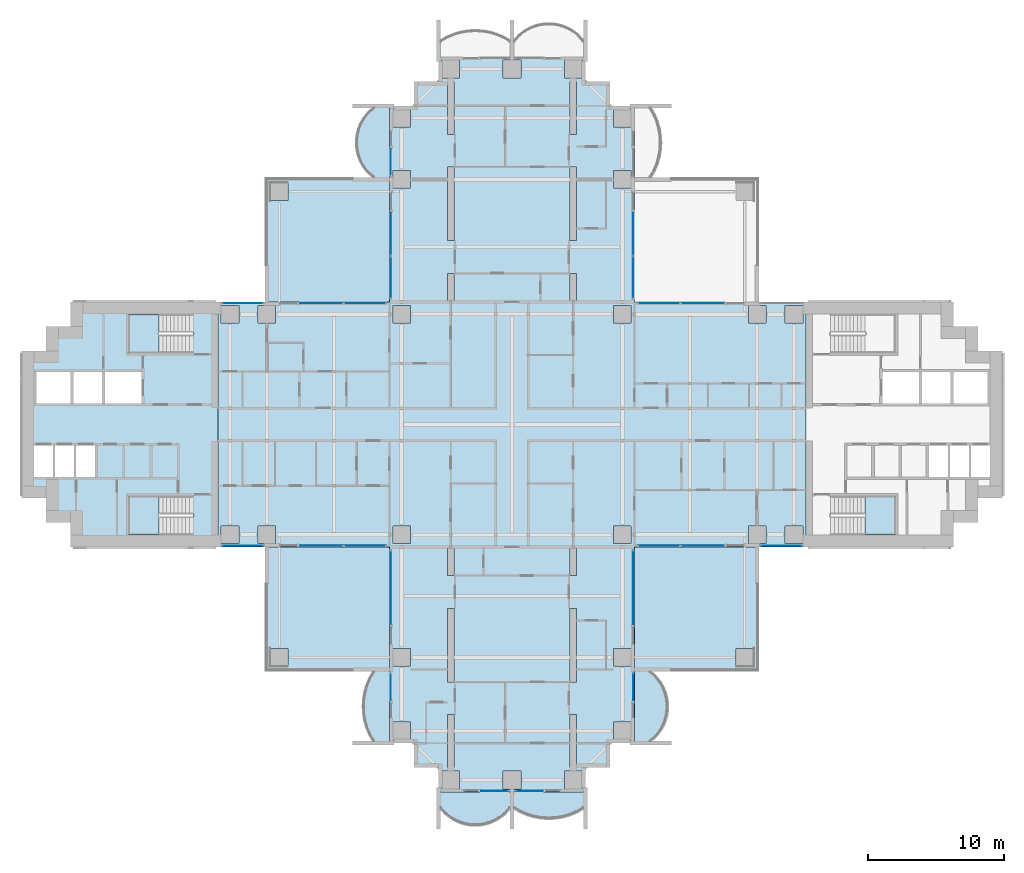
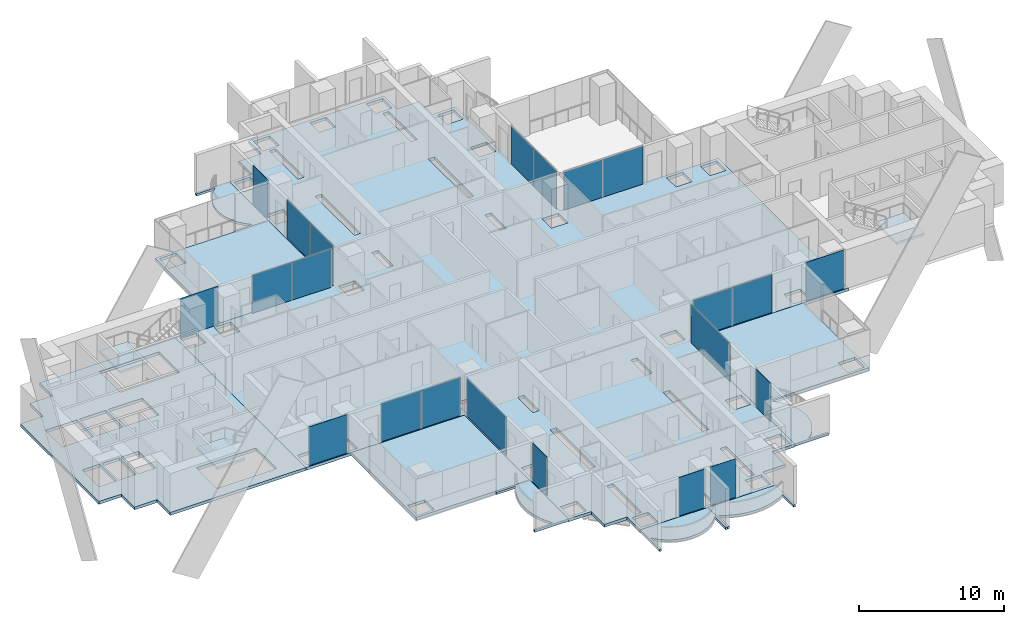
# One storey, part 9 of 23: 22 plates, 13 slabs, 19 elements without a shape of their own.
"""IFC4 building model written with IfcOpenShell, lengths in metres."""

from ifc_helpers import new_model, si_unit, direction, frame, origin, origin_2d, place, context, subcontext, project, spatial, polyline, rectangle, outline, extrude, material, layer, layer_set, type_object, element, aggregate, save


model = new_model("IFC4")

# Units and contexts
model_context = context("Model", 3, precision=1e-05, world=origin(), true_north=direction((0.0, 1.0)))
body_context = subcontext(model_context, "Body", "Model", "MODEL_VIEW")
ifc_project = project(units=[si_unit("LENGTHUNIT", "METRE"), si_unit("AREAUNIT", "SQUARE_METRE"), si_unit("VOLUMEUNIT", "CUBIC_METRE"), si_unit("PLANEANGLEUNIT", "RADIAN"), si_unit("MASSUNIT", "GRAM", prefix="KILO")], contexts=[model_context])

# Site, building, storey
site_placement = place(None, origin())
site = spatial("IfcSite", under=ifc_project, at=site_placement, CompositionType="ELEMENT")
building_placement = place(site_placement, origin())
building = spatial("IfcBuilding", under=site, at=building_placement, Name="Perihelion Cross Residences", CompositionType="ELEMENT")
storey_placement = place(building_placement, frame((0.0, 0.0, 36.5)))
storey = spatial("IfcBuildingStorey", under=building, at=storey_placement, Name="L05", CompositionType="ELEMENT", Elevation=36.5)

# Slabs
ifc_material_1 = material(Name="Concrete C40/50", Category="concrete")
ifc_layer_1 = layer(ifc_material_1, 0.199951171875)
ifc_layer_set_1 = layer_set([ifc_layer_1], Name="Balcony slab 200")
slab_type_1 = type_object("IfcSlabType", Name="Balcony slab 200", PredefinedType="FLOOR", material=ifc_layer_set_1)
slab_1_placement = place(storey_placement, frame((0.0, 0.0, -0.199951171875)))
element("IfcSlab", 1, at=slab_1_placement, inside=storey, type_object=slab_type_1, Name="Slab BK1 L05 north side west bay 1 balcony", PredefinedType="FLOOR", context=body_context, shape_type="SweptSolid", body=[
    extrude(outline(polyline([(-9.0, 23.39990234375), (-9.0, 18.0), (-11.699951171875, 18.0), (-11.699951171875, 18.14990234375), (-10.199951171875, 18.14990234375), (-10.622314453125, 18.542236328125), (-10.924072265625, 18.9345703125), (-11.143310546875, 19.326904296875), (-11.29736328125, 19.71923828125), (-11.39599609375, 20.111572265625), (-11.444091796875, 20.50390625), (-11.444091796875, 20.896240234375), (-11.39599609375, 21.28857421875), (-11.29736328125, 21.6806640625), (-11.143310546875, 22.072998046875), (-10.924072265625, 22.46533203125), (-10.622314453125, 22.857666015625), (-10.199951171875, 23.25), (-11.699951171875, 23.25), (-11.699951171875, 23.39990234375), (-9.0, 23.39990234375)])), origin(), (0.0, 0.0, 1.0), 0.199951171875),
])
slab_2_placement = place(storey_placement, frame((0.0, 0.0, -0.199951171875)))
element("IfcSlab", 2, at=slab_2_placement, inside=storey, type_object=slab_type_1, Name="Slab BK1 L05 south side west bay 2 balcony", PredefinedType="FLOOR", context=body_context, shape_type="SweptSolid", body=[
    extrude(outline(polyline([(-9.0, -18.0), (-9.0, -23.39990234375), (-11.699951171875, -23.39990234375), (-11.699951171875, -23.25), (-10.199951171875, -23.25), (-10.4853515625, -22.739990234375), (-10.694580078125, -22.22998046875), (-10.838134765625, -21.719970703125), (-10.92236328125, -21.2099609375), (-10.949951171875, -20.699951171875), (-10.92236328125, -20.18994140625), (-10.838134765625, -19.679931640625), (-10.694580078125, -19.169921875), (-10.4853515625, -18.659912109375), (-10.199951171875, -18.14990234375), (-11.699951171875, -18.14990234375), (-11.699951171875, -18.0), (-9.0, -18.0)])), origin(), (0.0, 0.0, 1.0), 0.199951171875),
])
slab_3_placement = place(storey_placement, frame((0.0, 0.0, -0.199951171875)))
element("IfcSlab", 3, at=slab_3_placement, inside=storey, type_object=slab_type_1, Name="Slab BK1 L05 south tip south bay 1 balcony", PredefinedType="FLOOR", context=body_context, shape_type="SweptSolid", body=[
    extrude(outline(polyline([(-5.39990234375, -27.0), (0.0, -27.0), (0.0, -29.699951171875), (-0.14990234375, -29.699951171875), (-0.14990234375, -28.199951171875), (-0.542236328125, -28.622314453125), (-0.9345703125, -28.924072265625), (-1.326904296875, -29.143310546875), (-1.71923828125, -29.29736328125), (-2.111572265625, -29.39599609375), (-2.50390625, -29.444091796875), (-2.896240234375, -29.444091796875), (-3.28857421875, -29.39599609375), (-3.6806640625, -29.29736328125), (-4.072998046875, -29.143310546875), (-4.46533203125, -28.924072265625), (-4.857666015625, -28.622314453125), (-5.25, -28.199951171875), (-5.25, -29.699951171875), (-5.39990234375, -29.699951171875), (-5.39990234375, -27.0)])), origin(), (0.0, 0.0, 1.0), 0.199951171875),
])
slab_4_placement = place(storey_placement, frame((0.0, 0.0, -0.199951171875)))
element("IfcSlab", 4, at=slab_4_placement, inside=storey, type_object=slab_type_1, Name="Slab BK1 L05 south tip south bay 2 balcony", PredefinedType="FLOOR", context=body_context, shape_type="SweptSolid", body=[
    extrude(outline(polyline([(0.0, -27.0), (5.39990234375, -27.0), (5.39990234375, -29.699951171875), (5.25, -29.699951171875), (5.25, -28.199951171875), (4.739990234375, -28.4853515625), (4.22998046875, -28.694580078125), (3.719970703125, -28.838134765625), (3.2099609375, -28.92236328125), (2.699951171875, -28.949951171875), (2.18994140625, -28.92236328125), (1.679931640625, -28.838134765625), (1.169921875, -28.694580078125), (0.659912109375, -28.4853515625), (0.14990234375, -28.199951171875), (0.14990234375, -29.699951171875), (0.0, -29.699951171875), (0.0, -27.0)])), origin(), (0.0, 0.0, 1.0), 0.199951171875),
])
slab_5_placement = place(storey_placement, frame((0.0, 0.0, -0.199951171875)))
element("IfcSlab", 5, at=slab_5_placement, inside=storey, type_object=slab_type_1, Name="Slab BK1 L05 south side east bay 1 balcony", PredefinedType="FLOOR", context=body_context, shape_type="SweptSolid", body=[
    extrude(outline(polyline([(9.0, -23.39990234375), (9.0, -18.0), (11.699951171875, -18.0), (11.699951171875, -18.14990234375), (10.199951171875, -18.14990234375), (10.622314453125, -18.542236328125), (10.924072265625, -18.9345703125), (11.143310546875, -19.326904296875), (11.29736328125, -19.71923828125), (11.39599609375, -20.111572265625), (11.444091796875, -20.50390625), (11.444091796875, -20.896240234375), (11.39599609375, -21.28857421875), (11.29736328125, -21.6806640625), (11.143310546875, -22.072998046875), (10.924072265625, -22.46533203125), (10.622314453125, -22.857666015625), (10.199951171875, -23.25), (11.699951171875, -23.25), (11.699951171875, -23.39990234375), (9.0, -23.39990234375)])), origin(), (0.0, 0.0, 1.0), 0.199951171875),
])

# Curtain wall, plates
ifc_material_2 = material(Name="Bronze anodised aluminium, tinted glazing", Category="aluminium")
curtain_wall_type = type_object("IfcCurtainWallType", Name="CW1", PredefinedType="NOTDEFINED", material=ifc_material_2)
curtain_wall_1_placement = place(storey_placement, origin())
curtain_wall_1 = element("IfcCurtainWall", 6, at=curtain_wall_1_placement, inside=storey, type_object=curtain_wall_type, Name="Curtain wall CW1 L05 east side north bay 2", PredefinedType="NOTDEFINED")
ifc_material_3 = material(Name="Tinted laminated glass", Category="glass")
ifc_layer_2 = layer(ifc_material_3, 0.028076171875)
ifc_layer_set_2 = layer_set([ifc_layer_2], Name="CW1 panel")
plate_type = type_object("IfcPlateType", Name="CW1 panel", PredefinedType="CURTAIN_PANEL", material=ifc_layer_set_2)
plate_1_placement = place(storey_placement, frame((13.9775390625, 8.89990234375, 0.0), z_axis=(0.0, 0.0, 1.0), x_axis=(-1.0, 0.0, 0.0)))
plate_1 = element("IfcPlate", 7, at=plate_1_placement, type_object=plate_type, Name="CW1 panel 1", PredefinedType="CURTAIN_PANEL", context=body_context, shape_type="SweptSolid", body=[
    extrude(rectangle(XDim=3.14501953125, YDim=0.028076171875, at=origin_2d()), origin(), (0.0, 0.0, 1.0), 3.18994140625),
])
plate_2_placement = place(storey_placement, frame((10.802490234375, 8.89990234375, 0.0), z_axis=(0.0, 0.0, 1.0), x_axis=(-1.0, 0.0, 0.0)))
plate_2 = element("IfcPlate", 8, at=plate_2_placement, type_object=plate_type, Name="CW1 panel 2", PredefinedType="CURTAIN_PANEL", context=body_context, shape_type="SweptSolid", body=[
    extrude(rectangle(XDim=3.0849609375, YDim=0.028076171875, at=origin_2d()), origin(), (0.0, 0.0, 1.0), 3.18994140625),
])
aggregate(curtain_wall_1, [plate_1, plate_2])

curtain_wall_2_placement = place(storey_placement, origin())
curtain_wall_2 = element("IfcCurtainWall", 9, at=curtain_wall_2_placement, inside=storey, type_object=curtain_wall_type, Name="Curtain wall CW1 L05 north side east bay 1", PredefinedType="NOTDEFINED")
plate_3_placement = place(storey_placement, frame((8.89990234375, 10.802490234375, 0.0), z_axis=(0.0, 0.0, 1.0), x_axis=(0.0, 1.0, 0.0)))
plate_3 = element("IfcPlate", 10, at=plate_3_placement, type_object=plate_type, Name="CW1 panel 1", PredefinedType="CURTAIN_PANEL", context=body_context, shape_type="SweptSolid", body=[
    extrude(rectangle(XDim=3.0849609375, YDim=0.028076171875, at=origin_2d()), origin(), (0.0, 0.0, 1.0), 3.18994140625),
])
plate_4_placement = place(storey_placement, frame((8.89990234375, 13.9775390625, 0.0), z_axis=(0.0, 0.0, 1.0), x_axis=(0.0, 1.0, 0.0)))
plate_4 = element("IfcPlate", 11, at=plate_4_placement, type_object=plate_type, Name="CW1 panel 2", PredefinedType="CURTAIN_PANEL", context=body_context, shape_type="SweptSolid", body=[
    extrude(rectangle(XDim=3.14501953125, YDim=0.028076171875, at=origin_2d()), origin(), (0.0, 0.0, 1.0), 3.18994140625),
])
aggregate(curtain_wall_2, [plate_3, plate_4])

# Curtain wall, plate
curtain_wall_3_placement = place(storey_placement, origin())
curtain_wall_3 = element("IfcCurtainWall", 12, at=curtain_wall_3_placement, inside=storey, type_object=curtain_wall_type, Name="Curtain wall CW1 L05 north side west bay 1", PredefinedType="NOTDEFINED")
plate_5_placement = place(storey_placement, frame((-8.89990234375, 19.2548828125, 0.0), z_axis=(0.0, 0.0, 1.0), x_axis=(0.0, -1.0, 0.0)))
plate_5 = element("IfcPlate", 13, at=plate_5_placement, type_object=plate_type, Name="CW1 panel 1", PredefinedType="CURTAIN_PANEL", context=body_context, shape_type="SweptSolid", body=[
    extrude(rectangle(XDim=1.989990234375, YDim=0.028076171875, at=origin_2d()), origin(), (0.0, 0.0, 1.0), 3.25),
])
aggregate(curtain_wall_3, [plate_5])

# Curtain wall, plates
curtain_wall_4_placement = place(storey_placement, origin())
curtain_wall_4 = element("IfcCurtainWall", 14, at=curtain_wall_4_placement, inside=storey, type_object=curtain_wall_type, Name="Curtain wall CW1 L05 north side west bay 2", PredefinedType="NOTDEFINED")
plate_6_placement = place(storey_placement, frame((-8.89990234375, 13.9775390625, 0.0), z_axis=(0.0, 0.0, 1.0), x_axis=(0.0, -1.0, 0.0)))
plate_6 = element("IfcPlate", 15, at=plate_6_placement, type_object=plate_type, Name="CW1 panel 1", PredefinedType="CURTAIN_PANEL", context=body_context, shape_type="SweptSolid", body=[
    extrude(rectangle(XDim=3.14501953125, YDim=0.028076171875, at=origin_2d()), origin(), (0.0, 0.0, 1.0), 3.18994140625),
])
plate_7_placement = place(storey_placement, frame((-8.89990234375, 10.802490234375, 0.0), z_axis=(0.0, 0.0, 1.0), x_axis=(0.0, -1.0, 0.0)))
plate_7 = element("IfcPlate", 16, at=plate_7_placement, type_object=plate_type, Name="CW1 panel 2", PredefinedType="CURTAIN_PANEL", context=body_context, shape_type="SweptSolid", body=[
    extrude(rectangle(XDim=3.0849609375, YDim=0.028076171875, at=origin_2d()), origin(), (0.0, 0.0, 1.0), 3.18994140625),
])
aggregate(curtain_wall_4, [plate_6, plate_7])

curtain_wall_5_placement = place(storey_placement, origin())
curtain_wall_5 = element("IfcCurtainWall", 17, at=curtain_wall_5_placement, inside=storey, type_object=curtain_wall_type, Name="Curtain wall CW1 L05 west side north bay 1", PredefinedType="NOTDEFINED")
plate_8_placement = place(storey_placement, frame((-10.802490234375, 8.89990234375, 0.0), z_axis=(0.0, 0.0, 1.0), x_axis=(-1.0, 0.0, 0.0)))
plate_8 = element("IfcPlate", 18, at=plate_8_placement, type_object=plate_type, Name="CW1 panel 1", PredefinedType="CURTAIN_PANEL", context=body_context, shape_type="SweptSolid", body=[
    extrude(rectangle(XDim=3.0849609375, YDim=0.028076171875, at=origin_2d()), origin(), (0.0, 0.0, 1.0), 3.18994140625),
])
plate_9_placement = place(storey_placement, frame((-13.9775390625, 8.89990234375, 0.0), z_axis=(0.0, 0.0, 1.0), x_axis=(-1.0, 0.0, 0.0)))
plate_9 = element("IfcPlate", 19, at=plate_9_placement, type_object=plate_type, Name="CW1 panel 2", PredefinedType="CURTAIN_PANEL", context=body_context, shape_type="SweptSolid", body=[
    extrude(rectangle(XDim=3.14501953125, YDim=0.028076171875, at=origin_2d()), origin(), (0.0, 0.0, 1.0), 3.18994140625),
])
aggregate(curtain_wall_5, [plate_8, plate_9])

# Curtain wall, plate
curtain_wall_6_placement = place(storey_placement, origin())
curtain_wall_6 = element("IfcCurtainWall", 20, at=curtain_wall_6_placement, inside=storey, type_object=curtain_wall_type, Name="Curtain wall CW1 L05 west side north bay 2", PredefinedType="NOTDEFINED")
plate_10_placement = place(storey_placement, frame((-19.77490234375, 8.89990234375, 0.0), z_axis=(0.0, 0.0, 1.0), x_axis=(-1.0, 0.0, 0.0)))
plate_10 = element("IfcPlate", 21, at=plate_10_placement, type_object=plate_type, Name="CW1 panel 1", PredefinedType="CURTAIN_PANEL", context=body_context, shape_type="SweptSolid", body=[
    extrude(rectangle(XDim=3.030029296875, YDim=0.028076171875, at=origin_2d()), origin(), (0.0, 0.0, 1.0), 3.25),
])
aggregate(curtain_wall_6, [plate_10])

curtain_wall_7_placement = place(storey_placement, origin())
curtain_wall_7 = element("IfcCurtainWall", 22, at=curtain_wall_7_placement, inside=storey, type_object=curtain_wall_type, Name="Curtain wall CW1 L05 west side south bay 1", PredefinedType="NOTDEFINED")
plate_11_placement = place(storey_placement, frame((-19.77490234375, -8.89990234375, 0.0), z_axis=(0.0, 0.0, 1.0), x_axis=(1.0, 0.0, 0.0)))
plate_11 = element("IfcPlate", 23, at=plate_11_placement, type_object=plate_type, Name="CW1 panel 1", PredefinedType="CURTAIN_PANEL", context=body_context, shape_type="SweptSolid", body=[
    extrude(rectangle(XDim=3.030029296875, YDim=0.028076171875, at=origin_2d()), origin(), (0.0, 0.0, 1.0), 3.25),
])
aggregate(curtain_wall_7, [plate_11])

# Curtain wall, plates
curtain_wall_8_placement = place(storey_placement, origin())
curtain_wall_8 = element("IfcCurtainWall", 24, at=curtain_wall_8_placement, inside=storey, type_object=curtain_wall_type, Name="Curtain wall CW1 L05 west side south bay 2", PredefinedType="NOTDEFINED")
plate_12_placement = place(storey_placement, frame((-13.9775390625, -8.89990234375, 0.0), z_axis=(0.0, 0.0, 1.0), x_axis=(1.0, 0.0, 0.0)))
plate_12 = element("IfcPlate", 25, at=plate_12_placement, type_object=plate_type, Name="CW1 panel 1", PredefinedType="CURTAIN_PANEL", context=body_context, shape_type="SweptSolid", body=[
    extrude(rectangle(XDim=3.14501953125, YDim=0.028076171875, at=origin_2d()), origin(), (0.0, 0.0, 1.0), 3.18994140625),
])
plate_13_placement = place(storey_placement, frame((-10.802490234375, -8.89990234375, 0.0), z_axis=(0.0, 0.0, 1.0), x_axis=(1.0, 0.0, 0.0)))
plate_13 = element("IfcPlate", 26, at=plate_13_placement, type_object=plate_type, Name="CW1 panel 2", PredefinedType="CURTAIN_PANEL", context=body_context, shape_type="SweptSolid", body=[
    extrude(rectangle(XDim=3.0849609375, YDim=0.028076171875, at=origin_2d()), origin(), (0.0, 0.0, 1.0), 3.18994140625),
])
aggregate(curtain_wall_8, [plate_12, plate_13])

# Curtain wall, plate
curtain_wall_9_placement = place(storey_placement, origin())
curtain_wall_9 = element("IfcCurtainWall", 27, at=curtain_wall_9_placement, inside=storey, type_object=curtain_wall_type, Name="Curtain wall CW1 L05 south side west bay 1", PredefinedType="NOTDEFINED")
plate_14_placement = place(storey_placement, frame((-8.89990234375, -11.955078125, 0.0), z_axis=(0.0, 0.0, 1.0), x_axis=(0.0, -1.0, 0.0)))
plate_14 = element("IfcPlate", 28, at=plate_14_placement, type_object=plate_type, Name="CW1 panel 1", PredefinedType="CURTAIN_PANEL", context=body_context, shape_type="SweptSolid", body=[
    extrude(rectangle(XDim=5.389892578125, YDim=0.028076171875, at=origin_2d()), origin(), (0.0, 0.0, 1.0), 3.18994140625),
])
aggregate(curtain_wall_9, [plate_14])

curtain_wall_10_placement = place(storey_placement, origin())
curtain_wall_10 = element("IfcCurtainWall", 29, at=curtain_wall_10_placement, inside=storey, type_object=curtain_wall_type, Name="Curtain wall CW1 L05 south side west bay 2", PredefinedType="NOTDEFINED")
plate_15_placement = place(storey_placement, frame((-8.89990234375, -19.2548828125, 0.0), z_axis=(0.0, 0.0, 1.0), x_axis=(0.0, -1.0, 0.0)))
plate_15 = element("IfcPlate", 30, at=plate_15_placement, type_object=plate_type, Name="CW1 panel 1", PredefinedType="CURTAIN_PANEL", context=body_context, shape_type="SweptSolid", body=[
    extrude(rectangle(XDim=1.989990234375, YDim=0.028076171875, at=origin_2d()), origin(), (0.0, 0.0, 1.0), 3.25),
])
aggregate(curtain_wall_10, [plate_15])

curtain_wall_11_placement = place(storey_placement, origin())
curtain_wall_11 = element("IfcCurtainWall", 31, at=curtain_wall_11_placement, inside=storey, type_object=curtain_wall_type, Name="Curtain wall CW1 L05 south tip south bay 1", PredefinedType="NOTDEFINED")
plate_16_placement = place(storey_placement, frame((-1.2548828125, -26.89990234375, 0.0), z_axis=(0.0, 0.0, 1.0), x_axis=(1.0, 0.0, 0.0)))
plate_16 = element("IfcPlate", 32, at=plate_16_placement, type_object=plate_type, Name="CW1 panel 1", PredefinedType="CURTAIN_PANEL", context=body_context, shape_type="SweptSolid", body=[
    extrude(rectangle(XDim=1.989990234375, YDim=0.028076171875, at=origin_2d()), origin(), (0.0, 0.0, 1.0), 3.25),
])
aggregate(curtain_wall_11, [plate_16])

curtain_wall_12_placement = place(storey_placement, origin())
curtain_wall_12 = element("IfcCurtainWall", 33, at=curtain_wall_12_placement, inside=storey, type_object=curtain_wall_type, Name="Curtain wall CW1 L05 south tip south bay 2", PredefinedType="NOTDEFINED")
plate_17_placement = place(storey_placement, frame((1.2548828125, -26.89990234375, 0.0), z_axis=(0.0, 0.0, 1.0), x_axis=(1.0, 0.0, 0.0)))
plate_17 = element("IfcPlate", 34, at=plate_17_placement, type_object=plate_type, Name="CW1 panel 1", PredefinedType="CURTAIN_PANEL", context=body_context, shape_type="SweptSolid", body=[
    extrude(rectangle(XDim=1.989990234375, YDim=0.028076171875, at=origin_2d()), origin(), (0.0, 0.0, 1.0), 3.25),
])
aggregate(curtain_wall_12, [plate_17])

curtain_wall_13_placement = place(storey_placement, origin())
curtain_wall_13 = element("IfcCurtainWall", 35, at=curtain_wall_13_placement, inside=storey, type_object=curtain_wall_type, Name="Curtain wall CW1 L05 south side east bay 1", PredefinedType="NOTDEFINED")
plate_18_placement = place(storey_placement, frame((8.89990234375, -19.2548828125, 0.0), z_axis=(0.0, 0.0, 1.0), x_axis=(0.0, 1.0, 0.0)))
plate_18 = element("IfcPlate", 36, at=plate_18_placement, type_object=plate_type, Name="CW1 panel 1", PredefinedType="CURTAIN_PANEL", context=body_context, shape_type="SweptSolid", body=[
    extrude(rectangle(XDim=1.989990234375, YDim=0.028076171875, at=origin_2d()), origin(), (0.0, 0.0, 1.0), 3.25),
])
aggregate(curtain_wall_13, [plate_18])

curtain_wall_14_placement = place(storey_placement, origin())
curtain_wall_14 = element("IfcCurtainWall", 37, at=curtain_wall_14_placement, inside=storey, type_object=curtain_wall_type, Name="Curtain wall CW1 L05 south side east bay 2", PredefinedType="NOTDEFINED")
plate_19_placement = place(storey_placement, frame((8.89990234375, -11.955078125, 0.0), z_axis=(0.0, 0.0, 1.0), x_axis=(0.0, 1.0, 0.0)))
plate_19 = element("IfcPlate", 38, at=plate_19_placement, type_object=plate_type, Name="CW1 panel 1", PredefinedType="CURTAIN_PANEL", context=body_context, shape_type="SweptSolid", body=[
    extrude(rectangle(XDim=5.389892578125, YDim=0.028076171875, at=origin_2d()), origin(), (0.0, 0.0, 1.0), 3.18994140625),
])
aggregate(curtain_wall_14, [plate_19])

# Curtain wall, plates
curtain_wall_15_placement = place(storey_placement, origin())
curtain_wall_15 = element("IfcCurtainWall", 39, at=curtain_wall_15_placement, inside=storey, type_object=curtain_wall_type, Name="Curtain wall CW1 L05 east side south bay 1", PredefinedType="NOTDEFINED")
plate_20_placement = place(storey_placement, frame((10.802490234375, -8.89990234375, 0.0), z_axis=(0.0, 0.0, 1.0), x_axis=(1.0, 0.0, 0.0)))
plate_20 = element("IfcPlate", 40, at=plate_20_placement, type_object=plate_type, Name="CW1 panel 1", PredefinedType="CURTAIN_PANEL", context=body_context, shape_type="SweptSolid", body=[
    extrude(rectangle(XDim=3.0849609375, YDim=0.028076171875, at=origin_2d()), origin(), (0.0, 0.0, 1.0), 3.18994140625),
])
plate_21_placement = place(storey_placement, frame((13.9775390625, -8.89990234375, 0.0), z_axis=(0.0, 0.0, 1.0), x_axis=(1.0, 0.0, 0.0)))
plate_21 = element("IfcPlate", 41, at=plate_21_placement, type_object=plate_type, Name="CW1 panel 2", PredefinedType="CURTAIN_PANEL", context=body_context, shape_type="SweptSolid", body=[
    extrude(rectangle(XDim=3.14501953125, YDim=0.028076171875, at=origin_2d()), origin(), (0.0, 0.0, 1.0), 3.18994140625),
])
aggregate(curtain_wall_15, [plate_20, plate_21])

# Curtain wall, plate
curtain_wall_16_placement = place(storey_placement, origin())
curtain_wall_16 = element("IfcCurtainWall", 42, at=curtain_wall_16_placement, inside=storey, type_object=curtain_wall_type, Name="Curtain wall CW1 L05 east side south bay 2", PredefinedType="NOTDEFINED")
plate_22_placement = place(storey_placement, frame((19.77490234375, -8.89990234375, 0.0), z_axis=(0.0, 0.0, 1.0), x_axis=(1.0, 0.0, 0.0)))
plate_22 = element("IfcPlate", 43, at=plate_22_placement, type_object=plate_type, Name="CW1 panel 1", PredefinedType="CURTAIN_PANEL", context=body_context, shape_type="SweptSolid", body=[
    extrude(rectangle(XDim=3.030029296875, YDim=0.028076171875, at=origin_2d()), origin(), (0.0, 0.0, 1.0), 3.25),
])
aggregate(curtain_wall_16, [plate_22])

# Slabs
ifc_material_4 = material(Name="Concrete C40/50", Category="concrete")
ifc_layer_3 = layer(ifc_material_4, 0.25)
ifc_layer_set_3 = layer_set([ifc_layer_3], Name="Core floor slab 250")
slab_type_2 = type_object("IfcSlabType", Name="Core floor slab 250", PredefinedType="FLOOR", material=ifc_layer_set_3)
slab_6_placement = place(storey_placement, frame((0.0, 0.0, -0.25)))
element("IfcSlab", 44, at=slab_6_placement, inside=storey, type_object=slab_type_2, Name="West core floor slab", PredefinedType="FLOOR", context=body_context, shape_type="SweptSolid", body=[
    extrude(outline(polyline([(-32.39990234375, 7.199951171875), (-34.199951171875, 7.199951171875), (-34.199951171875, 5.39990234375), (-36.0, 5.39990234375), (-36.0, -5.39990234375), (-34.199951171875, -5.39990234375), (-34.199951171875, -7.199951171875), (-32.39990234375, -7.199951171875), (-32.39990234375, -9.0), (-21.60009765625, -9.0), (-21.60009765625, 9.0), (-32.39990234375, 9.0), (-32.39990234375, 7.199951171875)]), holes=[polyline([(-23.405029296875, -8.10009765625), (-28.14990234375, -8.10009765625), (-28.14990234375, -5.25), (-23.405029296875, -5.25), (-23.405029296875, -8.10009765625)]), polyline([(-30.60009765625, -1.550048828125), (-30.60009765625, -3.85009765625), (-32.0, -3.85009765625), (-32.0, -1.550048828125), (-30.60009765625, -1.550048828125)]), polyline([(-32.14990234375, -1.550048828125), (-32.14990234375, -3.85009765625), (-33.550048828125, -3.85009765625), (-33.550048828125, -1.550048828125), (-32.14990234375, -1.550048828125)]), polyline([(-33.699951171875, -1.550048828125), (-33.699951171875, -3.85009765625), (-35.10009765625, -3.85009765625), (-35.10009765625, -1.550048828125), (-33.699951171875, -1.550048828125)]), polyline([(-27.199951171875, 3.85009765625), (-27.199951171875, 1.550048828125), (-29.89990234375, 1.550048828125), (-29.89990234375, 3.85009765625), (-27.199951171875, 3.85009765625)]), polyline([(-30.10009765625, 3.85009765625), (-30.10009765625, 1.550048828125), (-32.199951171875, 1.550048828125), (-32.199951171875, 3.85009765625), (-30.10009765625, 3.85009765625)]), polyline([(-32.39990234375, 3.85009765625), (-32.39990234375, 1.550048828125), (-34.89990234375, 1.550048828125), (-34.89990234375, 3.85009765625), (-32.39990234375, 3.85009765625)]), polyline([(-23.405029296875, 5.25), (-28.14990234375, 5.25), (-28.14990234375, 8.10009765625), (-23.405029296875, 8.10009765625), (-23.405029296875, 5.25)])]), origin(), (0.0, 0.0, 1.0), 0.25),
])
ifc_material_5 = material(Name="Concrete C40/50", Category="concrete")
ifc_layer_4 = layer(ifc_material_5, 0.25)
ifc_layer_set_4 = layer_set([ifc_layer_4], Name="Corner terrace slab")
slab_type_3 = type_object("IfcSlabType", Name="Corner terrace slab", PredefinedType="FLOOR", material=ifc_layer_set_4)
slab_7_placement = place(storey_placement, frame((0.0, 0.0, -0.25)))
element("IfcSlab", 45, at=slab_7_placement, inside=storey, type_object=slab_type_3, Name="Slab BK2 L05 pocket north-west", PredefinedType="FLOOR", context=body_context, shape_type="SweptSolid", body=[
    extrude(outline(polyline([(-9.0, 9.0), (-9.0, 18.0), (-18.0, 18.0), (-18.0, 9.0), (-9.0, 9.0)]), holes=[polyline([(-17.7900390625, 16.409912109375), (-17.7900390625, 17.7900390625), (-16.449951171875, 17.7900390625), (-16.449951171875, 16.449951171875), (-17.75, 16.449951171875), (-17.75, 16.409912109375), (-17.7900390625, 16.409912109375)])]), origin(), (0.0, 0.0, 1.0), 0.25),
])
slab_8_placement = place(storey_placement, frame((0.0, 0.0, -0.25)))
element("IfcSlab", 46, at=slab_8_placement, inside=storey, type_object=slab_type_3, Name="Slab BK2 L05 pocket south-west", PredefinedType="FLOOR", context=body_context, shape_type="SweptSolid", body=[
    extrude(outline(polyline([(-9.0, -18.0), (-9.0, -9.0), (-18.0, -9.0), (-18.0, -18.0), (-9.0, -18.0)]), holes=[polyline([(-17.7900390625, -16.409912109375), (-17.75, -16.409912109375), (-17.75, -16.449951171875), (-16.449951171875, -16.449951171875), (-16.449951171875, -17.7900390625), (-17.7900390625, -17.7900390625), (-17.7900390625, -16.409912109375)])]), origin(), (0.0, 0.0, 1.0), 0.25),
])
slab_9_placement = place(storey_placement, frame((0.0, 0.0, -0.25)))
element("IfcSlab", 47, at=slab_9_placement, inside=storey, type_object=slab_type_3, Name="Slab BK2 L05 pocket south-east", PredefinedType="FLOOR", context=body_context, shape_type="SweptSolid", body=[
    extrude(outline(polyline([(18.0, -18.0), (18.0, -9.0), (9.0, -9.0), (9.0, -18.0), (18.0, -18.0)]), holes=[polyline([(16.449951171875, -17.7900390625), (16.449951171875, -16.449951171875), (17.75, -16.449951171875), (17.75, -16.409912109375), (17.7900390625, -16.409912109375), (17.7900390625, -17.7900390625), (16.449951171875, -17.7900390625)])]), origin(), (0.0, 0.0, 1.0), 0.25),
])

# Stair, slab
ifc_material_6 = material(Name="Concrete C40/50", Category="concrete")
stair_type = type_object("IfcStairType", Name="Exit stair, half-turn", PredefinedType="HALF_TURN_STAIR", material=ifc_material_6)
stair_1_placement = place(storey_placement, origin())
stair_1 = element("IfcStair", 48, at=stair_1_placement, inside=storey, type_object=stair_type, Name="L05 East core exit stair 2", PredefinedType="HALF_TURN_STAIR")
ifc_material_7 = material(Name="Concrete C40/50", Category="concrete")
ifc_layer_5 = layer(ifc_material_7, 0.199951171875)
ifc_layer_set_5 = layer_set([ifc_layer_5], Name="Exit stair landing 200")
slab_type_4 = type_object("IfcSlabType", Name="Exit stair landing 200", PredefinedType="LANDING", material=ifc_layer_set_5)
slab_10_placement = place(storey_placement, frame((0.0, 0.0, 1.550048828125)))
slab_10 = element("IfcSlab", 49, at=slab_10_placement, type_object=slab_type_4, Name="ST-E2 landing 1", PredefinedType="LANDING", context=body_context, shape_type="SweptSolid", body=[
    extrude(outline(polyline([(25.919921875, -8.10009765625), (28.14990234375, -8.10009765625), (28.14990234375, -5.25), (25.919921875, -5.25), (25.919921875, -8.10009765625)])), origin(), (0.0, 0.0, 1.0), 0.199951171875),
])
aggregate(stair_1, [slab_10])

stair_2_placement = place(storey_placement, origin())
stair_2 = element("IfcStair", 50, at=stair_2_placement, inside=storey, type_object=stair_type, Name="L05 West core exit stair 1", PredefinedType="HALF_TURN_STAIR")
slab_11_placement = place(storey_placement, frame((0.0, 0.0, 1.550048828125)))
slab_11 = element("IfcSlab", 51, at=slab_11_placement, type_object=slab_type_4, Name="ST-W1 landing 1", PredefinedType="LANDING", context=body_context, shape_type="SweptSolid", body=[
    extrude(outline(polyline([(-25.919921875, 8.10009765625), (-28.14990234375, 8.10009765625), (-28.14990234375, 5.25), (-25.919921875, 5.25), (-25.919921875, 8.10009765625)])), origin(), (0.0, 0.0, 1.0), 0.199951171875),
])
aggregate(stair_2, [slab_11])

stair_3_placement = place(storey_placement, origin())
stair_3 = element("IfcStair", 52, at=stair_3_placement, inside=storey, type_object=stair_type, Name="L05 West core exit stair 2", PredefinedType="HALF_TURN_STAIR")
slab_12_placement = place(storey_placement, frame((0.0, 0.0, 1.550048828125)))
slab_12 = element("IfcSlab", 53, at=slab_12_placement, type_object=slab_type_4, Name="ST-W2 landing 1", PredefinedType="LANDING", context=body_context, shape_type="SweptSolid", body=[
    extrude(outline(polyline([(-25.919921875, -5.25), (-28.14990234375, -5.25), (-28.14990234375, -8.10009765625), (-25.919921875, -8.10009765625), (-25.919921875, -5.25)])), origin(), (0.0, 0.0, 1.0), 0.199951171875),
])
aggregate(stair_3, [slab_12])

# Slab
ifc_material_8 = material(Name="Concrete C50/60", Category="concrete")
ifc_layer_6 = layer(ifc_material_8, 0.25)
ifc_layer_set_6 = layer_set([ifc_layer_6], Name="Residential floor post-tensioned slab concrete C50/60")
slab_type_5 = type_object("IfcSlabType", Name="Residential floor post-tensioned slab concrete C50/60", PredefinedType="FLOOR", material=ifc_layer_set_6)
slab_13_placement = place(storey_placement, frame((0.0, 0.0, -0.25)))
element("IfcSlab", 54, at=slab_13_placement, inside=storey, type_object=slab_type_5, Name="Slab SL8 L05 1 no. 1", PredefinedType="FLOOR", context=body_context, shape_type="SweptSolid", body=[
    extrude(outline(polyline([(-9.0, 9.0), (-9.0, 23.39990234375), (-7.199951171875, 23.39990234375), (-7.199951171875, 25.199951171875), (-5.39990234375, 25.199951171875), (-5.39990234375, 27.0), (5.39990234375, 27.0), (5.39990234375, 25.199951171875), (7.199951171875, 25.199951171875), (7.199951171875, 23.39990234375), (9.0, 23.39990234375), (9.0, 9.0), (21.60009765625, 9.0), (21.60009765625, -9.0), (9.0, -9.0), (9.0, -23.39990234375), (7.199951171875, -23.39990234375), (7.199951171875, -25.199951171875), (5.39990234375, -25.199951171875), (5.39990234375, -27.0), (-5.39990234375, -27.0), (-5.39990234375, -25.199951171875), (-7.199951171875, -25.199951171875), (-7.199951171875, -23.39990234375), (-9.0, -23.39990234375), (-9.0, -9.0), (-21.60009765625, -9.0), (-21.60009765625, 9.0), (-9.0, 9.0)]), holes=[polyline([(0.64990234375, -26.75), (0.64990234375, -25.449951171875), (-0.64990234375, -25.449951171875), (-0.64990234375, -26.75), (0.64990234375, -26.75)]), polyline([(-3.85009765625, -26.75), (-3.85009765625, -25.449951171875), (-5.14990234375, -25.449951171875), (-5.14990234375, -26.75), (-3.85009765625, -26.75)]), polyline([(-4.25, -25.199951171875), (-4.25, -21.300048828125), (-4.75, -21.300048828125), (-4.75, -25.199951171875), (-4.25, -25.199951171875)]), polyline([(-8.75, -23.14990234375), (-7.449951171875, -23.14990234375), (-7.449951171875, -21.85009765625), (-8.75, -21.85009765625), (-8.75, -23.14990234375)]), polyline([(-8.75, -17.75), (-7.449951171875, -17.75), (-7.449951171875, -16.449951171875), (-8.75, -16.449951171875), (-8.75, -17.75)]), polyline([(-4.25, -18.89990234375), (-4.25, -13.5), (-4.75, -13.5), (-4.75, -18.89990234375), (-4.25, -18.89990234375)]), polyline([(-4.25, -11.10009765625), (-4.25, -9.0), (-4.75, -9.0), (-4.75, -11.10009765625), (-4.25, -11.10009765625)]), polyline([(-7.449951171875, -8.75), (-7.449951171875, -7.449951171875), (-8.75, -7.449951171875), (-8.75, -8.75), (-7.449951171875, -8.75)]), polyline([(-18.64990234375, -8.75), (-17.35009765625, -8.75), (-17.35009765625, -7.449951171875), (-18.64990234375, -7.449951171875), (-18.64990234375, -8.75)]), polyline([(-21.35009765625, -8.75), (-20.050048828125, -8.75), (-20.050048828125, -7.449951171875), (-21.35009765625, -7.449951171875), (-21.35009765625, -8.75)]), polyline([(-17.35009765625, 7.449951171875), (-17.35009765625, 8.75), (-18.64990234375, 8.75), (-18.64990234375, 7.449951171875), (-17.35009765625, 7.449951171875)]), polyline([(-7.449951171875, 7.449951171875), (-7.449951171875, 8.75), (-8.75, 8.75), (-8.75, 7.449951171875), (-7.449951171875, 7.449951171875)]), polyline([(-21.35009765625, 7.449951171875), (-20.050048828125, 7.449951171875), (-20.050048828125, 8.75), (-21.35009765625, 8.75), (-21.35009765625, 7.449951171875)]), polyline([(-4.75, 9.0), (-4.25, 9.0), (-4.25, 11.10009765625), (-4.75, 11.10009765625), (-4.75, 9.0)]), polyline([(-4.25, 13.5), (-4.25, 18.89990234375), (-4.75, 18.89990234375), (-4.75, 13.5), (-4.25, 13.5)]), polyline([(-7.449951171875, 17.35009765625), (-7.449951171875, 18.64990234375), (-8.75, 18.64990234375), (-8.75, 17.35009765625), (-7.449951171875, 17.35009765625)]), polyline([(-7.449951171875, 21.85009765625), (-7.449951171875, 23.14990234375), (-8.75, 23.14990234375), (-8.75, 21.85009765625), (-7.449951171875, 21.85009765625)]), polyline([(-4.75, 21.300048828125), (-4.25, 21.300048828125), (-4.25, 25.199951171875), (-4.75, 25.199951171875), (-4.75, 21.300048828125)]), polyline([(-5.14990234375, 25.449951171875), (-3.85009765625, 25.449951171875), (-3.85009765625, 26.75), (-5.14990234375, 26.75), (-5.14990234375, 25.449951171875)]), polyline([(5.14990234375, -26.75), (5.14990234375, -25.449951171875), (3.85009765625, -25.449951171875), (3.85009765625, -26.75), (5.14990234375, -26.75)]), polyline([(4.75, -25.199951171875), (4.75, -21.300048828125), (4.25, -21.300048828125), (4.25, -25.199951171875), (4.75, -25.199951171875)]), polyline([(8.75, -23.14990234375), (8.75, -21.85009765625), (7.449951171875, -21.85009765625), (7.449951171875, -23.14990234375), (8.75, -23.14990234375)]), polyline([(7.449951171875, -17.75), (8.75, -17.75), (8.75, -16.449951171875), (7.449951171875, -16.449951171875), (7.449951171875, -17.75)]), polyline([(4.25, -18.89990234375), (4.75, -18.89990234375), (4.75, -13.5), (4.25, -13.5), (4.25, -18.89990234375)]), polyline([(4.75, -11.10009765625), (4.75, -9.0), (4.25, -9.0), (4.25, -11.10009765625), (4.75, -11.10009765625)]), polyline([(18.64990234375, -8.75), (18.64990234375, -7.449951171875), (17.35009765625, -7.449951171875), (17.35009765625, -8.75), (18.64990234375, -8.75)]), polyline([(21.35009765625, -8.75), (21.35009765625, -7.449951171875), (20.050048828125, -7.449951171875), (20.050048828125, -8.75), (21.35009765625, -8.75)]), polyline([(7.449951171875, -8.75), (8.75, -8.75), (8.75, -7.449951171875), (7.449951171875, -7.449951171875), (7.449951171875, -8.75)]), polyline([(21.35009765625, 7.449951171875), (21.35009765625, 8.75), (20.050048828125, 8.75), (20.050048828125, 7.449951171875), (21.35009765625, 7.449951171875)]), polyline([(8.75, 7.449951171875), (8.75, 8.75), (7.449951171875, 8.75), (7.449951171875, 7.449951171875), (8.75, 7.449951171875)]), polyline([(18.64990234375, 7.449951171875), (18.64990234375, 8.75), (17.35009765625, 8.75), (17.35009765625, 7.449951171875), (18.64990234375, 7.449951171875)]), polyline([(4.25, 9.0), (4.75, 9.0), (4.75, 11.10009765625), (4.25, 11.10009765625), (4.25, 9.0)]), polyline([(4.25, 13.5), (4.75, 13.5), (4.75, 18.89990234375), (4.25, 18.89990234375), (4.25, 13.5)]), polyline([(8.75, 17.35009765625), (8.75, 18.64990234375), (7.449951171875, 18.64990234375), (7.449951171875, 17.35009765625), (8.75, 17.35009765625)]), polyline([(8.75, 21.85009765625), (8.75, 23.14990234375), (7.449951171875, 23.14990234375), (7.449951171875, 21.85009765625), (8.75, 21.85009765625)]), polyline([(4.75, 21.300048828125), (4.75, 25.199951171875), (4.25, 25.199951171875), (4.25, 21.300048828125), (4.75, 21.300048828125)]), polyline([(-0.64990234375, 25.449951171875), (0.64990234375, 25.449951171875), (0.64990234375, 26.75), (-0.64990234375, 26.75), (-0.64990234375, 25.449951171875)]), polyline([(3.85009765625, 25.449951171875), (5.14990234375, 25.449951171875), (5.14990234375, 26.75), (3.85009765625, 26.75), (3.85009765625, 25.449951171875)])]), origin(), (0.0, 0.0, 1.0), 0.25),
])

save(model, "model.ifc")
